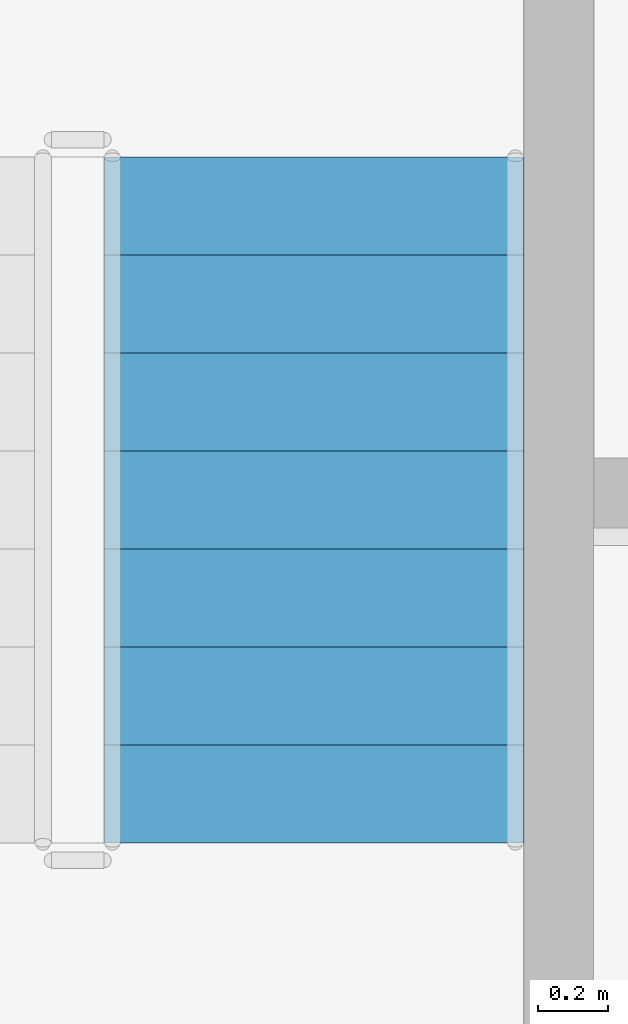
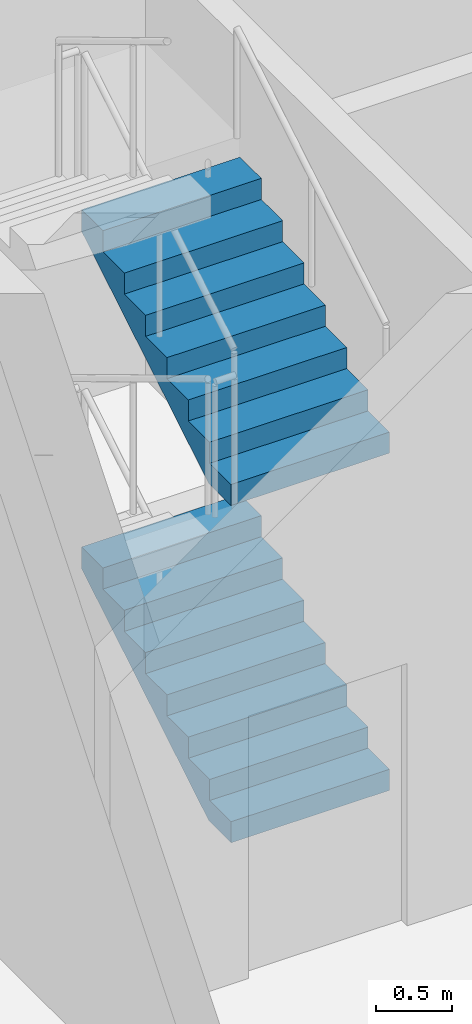
# One storey, part 48 of 101: 2 stair flights, 1 element without a shape of its own.
"""IFC4 building model written with IfcOpenShell, lengths in metres."""

from ifc_helpers import new_model, si_unit, direction, frame, origin, place, context, subcontext, project, spatial, triangles, material, type_object, element, aggregate, save


model = new_model("IFC4")

# Units and contexts
model_context = context("Model", 3, precision=1e-05, world=origin(), true_north=direction((0.0, 1.0)))
body_context = subcontext(model_context, "Body", "Model", "MODEL_VIEW")
ifc_project = project(units=[si_unit("LENGTHUNIT", "METRE"), si_unit("AREAUNIT", "SQUARE_METRE"), si_unit("VOLUMEUNIT", "CUBIC_METRE"), si_unit("PLANEANGLEUNIT", "RADIAN"), si_unit("MASSUNIT", "GRAM", prefix="KILO")], contexts=[model_context])

# Site, building, storey
site_placement = place(None, origin())
site = spatial("IfcSite", under=ifc_project, at=site_placement, CompositionType="ELEMENT")
building_placement = place(site_placement, origin())
building = spatial("IfcBuilding", under=site, at=building_placement, Name="Magnolia Steps Interchange", CompositionType="ELEMENT")
storey_placement = place(building_placement, frame((0.0, 0.0, -5.39990234375)))
storey = spatial("IfcBuildingStorey", under=building, at=storey_placement, Name="B1", CompositionType="ELEMENT", Elevation=-5.39990234375)

# Stair, stair flights
ifc_material_1 = material(Name="Concrete C40", Category="concrete")
stair_type = type_object("IfcStairType", Name="Exit stair 1200", PredefinedType="HALF_TURN_STAIR", material=ifc_material_1)
stair_placement = place(storey_placement, origin())
stair = element("IfcStair", 1, at=stair_placement, inside=storey, type_object=stair_type, Name="B1 Stair 19", PredefinedType="HALF_TURN_STAIR")
ifc_material_2 = material(Name="Concrete C40", Category="concrete")
stair_flight_type = type_object("IfcStairFlightType", Name="Exit stair flight", PredefinedType="STRAIGHT", material=ifc_material_2)
stair_flight_1_placement = place(storey_placement, frame((88.050048828125, 38.699951171875, 0.0), z_axis=(0.0, 0.0, 1.0), x_axis=(0.0, 1.0, 0.0)))
stair_flight_1 = element("IfcStairFlight", 2, at=stair_flight_1_placement, type_object=stair_flight_type, Name="Stair 19 flight 1", NumberOfRisers=8, NumberOfTreads=7, PredefinedType="STRAIGHT", RiserHeight=0.16875, TreadLength=0.28, context=body_context, shape_type="Tessellation", body=[
    triangles([(0.0, -0.5999755859375, 0.0), (0.29052734375, -0.5999755859375, 0.0), (1.9599609375, -0.5999755859375, 1.00634765625), (1.9599609375, -0.5999755859375, 1.18115234375), (1.679931640625, -0.5999755859375, 1.18115234375), (1.679931640625, -0.5999755859375, 1.012451171875), (1.39990234375, -0.5999755859375, 1.012451171875), (1.39990234375, -0.5999755859375, 0.84375), (1.1201171875, -0.5999755859375, 0.84375), (1.1201171875, -0.5999755859375, 0.675048828125), (0.840087890625, -0.5999755859375, 0.675048828125), (0.840087890625, -0.5999755859375, 0.50634765625), (0.56005859375, -0.5999755859375, 0.50634765625), (0.56005859375, -0.5999755859375, 0.33740234375), (0.280029296875, -0.5999755859375, 0.33740234375), (0.280029296875, -0.5999755859375, 0.168701171875), (0.0, -0.5999755859375, 0.168701171875), (0.0, 0.5999755859375, 0.0), (0.29052734375, 0.5999755859375, 0.0), (1.9599609375, 0.5999755859375, 1.00634765625), (1.9599609375, 0.5999755859375, 1.18115234375), (1.679931640625, 0.5999755859375, 1.18115234375), (1.679931640625, 0.5999755859375, 1.012451171875), (1.39990234375, 0.5999755859375, 1.012451171875), (1.39990234375, 0.5999755859375, 0.84375), (1.1201171875, 0.5999755859375, 0.84375), (1.1201171875, 0.5999755859375, 0.675048828125), (0.840087890625, 0.5999755859375, 0.675048828125), (0.840087890625, 0.5999755859375, 0.50634765625), (0.56005859375, 0.5999755859375, 0.50634765625), (0.56005859375, 0.5999755859375, 0.33740234375), (0.280029296875, 0.5999755859375, 0.33740234375), (0.280029296875, 0.5999755859375, 0.168701171875), (0.0, 0.5999755859375, 0.168701171875), (0.0, 0.0, 0.0), (0.0, 0.0, 0.04217529296875), (0.0, 0.0, 0.0843505859375), (0.0, 0.0, 0.12652587890625), (0.0, 0.0, 0.168701171875), (0.0, -0.05, 0.0), (0.0, -0.05, 0.168701171875), (0.0, 0.05, 0.0), (0.0, 0.05, 0.168701171875), (0.046671549479166664, 0.0, 0.168701171875), (0.09334309895833333, 0.0, 0.168701171875), (0.1400146484375, 0.0, 0.168701171875), (0.18668619791666666, 0.0, 0.168701171875), (0.23335774739583334, 0.0, 0.168701171875), (0.280029296875, 0.0, 0.168701171875), (0.280029296875, -0.05, 0.168701171875), (0.280029296875, 0.05, 0.168701171875), (0.280029296875, 0.0, 0.21087646484375), (0.280029296875, 0.0, 0.2530517578125), (0.280029296875, 0.0, 0.29522705078125), (0.280029296875, 0.0, 0.33740234375), (0.280029296875, -0.05, 0.33740234375), (0.280029296875, 0.05, 0.33740234375), (0.3267008463541667, 0.0, 0.33740234375), (0.3733723958333333, 0.0, 0.33740234375), (0.4200439453125, 0.0, 0.33740234375), (0.46671549479166663, 0.0, 0.33740234375), (0.5133870442708334, 0.0, 0.33740234375), (0.56005859375, 0.0, 0.33740234375), (0.56005859375, -0.05, 0.33740234375), (0.56005859375, 0.05, 0.33740234375), (0.56005859375, 0.0, 0.379638671875), (0.56005859375, 0.0, 0.421875), (0.56005859375, 0.0, 0.464111328125), (0.56005859375, 0.0, 0.50634765625), (0.56005859375, -0.05, 0.50634765625), (0.56005859375, 0.05, 0.50634765625), (0.6067301432291666, 0.0, 0.50634765625), (0.6534016927083334, 0.0, 0.50634765625), (0.7000732421875, 0.0, 0.50634765625), (0.7467447916666666, 0.0, 0.50634765625), (0.7934163411458334, 0.0, 0.50634765625), (0.840087890625, 0.0, 0.50634765625), (0.840087890625, -0.05, 0.50634765625), (0.840087890625, 0.05, 0.50634765625), (0.840087890625, 0.0, 0.54852294921875), (0.840087890625, 0.0, 0.5906982421875), (0.840087890625, 0.0, 0.63287353515625), (0.840087890625, 0.0, 0.675048828125), (0.840087890625, -0.05, 0.675048828125), (0.840087890625, 0.05, 0.675048828125), (0.8867594401041666, 0.0, 0.675048828125), (0.9334309895833334, 0.0, 0.675048828125), (0.9801025390625, 0.0, 0.675048828125), (1.0267740885416667, 0.0, 0.675048828125), (1.0734456380208333, 0.0, 0.675048828125), (1.1201171875, 0.0, 0.675048828125), (1.1201171875, -0.05, 0.675048828125), (1.1201171875, 0.05, 0.675048828125), (1.1201171875, 0.0, 0.71722412109375), (1.1201171875, 0.0, 0.7593994140625), (1.1201171875, 0.0, 0.80157470703125), (1.1201171875, 0.0, 0.84375), (1.1201171875, -0.05, 0.84375), (1.1201171875, 0.05, 0.84375), (1.1900634765625, 0.0, 0.84375), (1.260009765625, 0.0, 0.84375), (1.3299560546875, 0.0, 0.84375), (1.39990234375, 0.0, 0.84375), (1.39990234375, -0.05, 0.84375), (1.39990234375, 0.05, 0.84375), (1.39990234375, 0.0, 0.88592529296875), (1.39990234375, 0.0, 0.9281005859375), (1.39990234375, 0.0, 0.97027587890625), (1.39990234375, 0.0, 1.012451171875), (1.39990234375, -0.05, 1.012451171875), (1.39990234375, 0.05, 1.012451171875), (1.4465738932291667, 0.0, 1.012451171875), (1.4932454427083333, 0.0, 1.012451171875), (1.5399169921875, 0.0, 1.012451171875), (1.5865885416666667, 0.0, 1.012451171875), (1.6332600911458333, 0.0, 1.012451171875), (1.679931640625, 0.0, 1.012451171875), (1.679931640625, -0.05, 1.012451171875), (1.679931640625, 0.05, 1.012451171875), (1.679931640625, 0.0, 1.05462646484375), (1.679931640625, 0.0, 1.0968017578125), (1.679931640625, 0.0, 1.13897705078125), (1.679931640625, 0.0, 1.18115234375), (1.679931640625, -0.05, 1.18115234375), (1.679931640625, 0.05, 1.18115234375), (1.7266031901041667, 0.0, 1.18115234375), (1.7732747395833333, 0.0, 1.18115234375), (1.8199462890625, 0.0, 1.18115234375), (1.8666178385416667, 0.0, 1.18115234375), (1.9132893880208333, 0.0, 1.18115234375), (1.9599609375, 0.0, 1.18115234375), (1.9599609375, -0.05, 1.18115234375), (1.9599609375, 0.05, 1.18115234375), (1.9599609375, 0.0, 1.137451171875), (1.9599609375, 0.0, 1.09375), (1.9599609375, 0.0, 1.050048828125), (1.9599609375, 0.0, 1.00634765625), (1.9599609375, -0.05, 1.00634765625), (1.9599609375, 0.05, 1.00634765625), (1.9003383091517858, 0.0, 0.9704066685267857), (1.8407156808035714, 0.0, 0.9344656808035714), (1.7810930524553572, 0.0, 0.8985246930803571), (1.7214704241071428, 0.0, 0.8625837053571428), (1.6618477957589286, 0.0, 0.8266427176339286), (1.6022251674107144, 0.0, 0.7907017299107143), (1.5426025390625, 0.0, 0.7547607421875), (1.4829799107142856, 0.0, 0.7188197544642857), (1.4233572823660714, 0.0, 0.6828787667410714), (1.3637346540178572, 0.0, 0.6469377790178572), (1.3041120256696428, 0.0, 0.6109967912946428), (1.2444893973214286, 0.0, 0.5750558035714286), (1.1848667689732144, 0.0, 0.5391148158482143), (1.125244140625, 0.0, 0.503173828125), (1.0656215122767856, 0.0, 0.4672328404017857), (1.0059988839285714, 0.0, 0.4312918526785714), (0.9463762555803572, 0.0, 0.3953508649553571), (0.8867536272321428, 0.0, 0.3594098772321429), (0.8271309988839286, 0.0, 0.3234688895089286), (0.7675083705357142, 0.0, 0.2875279017857143), (0.7078857421875, 0.0, 0.2515869140625), (0.6482631138392858, 0.0, 0.2156459263392857), (0.5886404854910714, 0.0, 0.1797049386160714), (0.5290178571428572, 0.0, 0.1437639508928571), (0.4693952287946428, 0.0, 0.1078229631696429), (0.4097726004464286, 0.0, 0.0718819754464286), (0.3501499720982142, 0.0, 0.0359409877232143), (0.29052734375, 0.0, 0.0), (0.29052734375, -0.05, 0.0), (0.29052734375, 0.05, 0.0), (0.24210611979166666, 0.0, 0.0), (0.19368489583333331, 0.0, 0.0), (0.145263671875, 0.0, 0.0), (0.09684244791666666, 0.0, 0.0), (0.04842122395833334, 0.0, 0.0)], [[1, 2, 3], [3, 4, 5], [3, 5, 6], [3, 6, 7], [3, 7, 8], [8, 9, 10], [3, 8, 10], [10, 11, 12], [3, 10, 12], [12, 13, 14], [3, 12, 14], [14, 15, 16], [3, 14, 16], [1, 3, 16], [16, 17, 1], [18, 20, 19], [20, 22, 21], [20, 23, 22], [20, 24, 23], [20, 25, 24], [25, 27, 26], [20, 27, 25], [27, 29, 28], [20, 29, 27], [29, 31, 30], [20, 31, 29], [31, 33, 32], [20, 33, 31], [18, 33, 20], [33, 18, 34], [1, 17, 41], [1, 41, 40], [40, 36, 35], [40, 37, 36], [40, 41, 37], [41, 38, 37], [41, 39, 38], [18, 43, 34], [18, 42, 43], [42, 35, 36], [42, 36, 37], [42, 37, 43], [43, 37, 38], [43, 38, 39], [17, 16, 50], [17, 50, 41], [41, 44, 39], [41, 45, 44], [41, 46, 45], [41, 50, 46], [50, 47, 46], [50, 48, 47], [50, 49, 48], [34, 51, 33], [34, 43, 51], [43, 39, 44], [43, 44, 45], [43, 45, 46], [43, 46, 51], [51, 46, 47], [51, 47, 48], [51, 48, 49], [16, 15, 56], [16, 56, 50], [50, 52, 49], [50, 53, 52], [50, 56, 53], [56, 54, 53], [56, 55, 54], [33, 57, 32], [33, 51, 57], [51, 49, 52], [51, 52, 53], [51, 53, 57], [57, 53, 54], [57, 54, 55], [15, 14, 64], [15, 64, 56], [56, 58, 55], [56, 59, 58], [56, 60, 59], [56, 64, 60], [64, 61, 60], [64, 62, 61], [64, 63, 62], [32, 65, 31], [32, 57, 65], [57, 55, 58], [57, 58, 59], [57, 59, 60], [57, 60, 65], [65, 60, 61], [65, 61, 62], [65, 62, 63], [14, 13, 70], [14, 70, 64], [64, 66, 63], [64, 67, 66], [64, 70, 67], [70, 68, 67], [70, 69, 68], [31, 71, 30], [31, 65, 71], [65, 63, 66], [65, 66, 67], [65, 67, 71], [71, 67, 68], [71, 68, 69], [13, 12, 78], [13, 78, 70], [70, 72, 69], [70, 73, 72], [70, 74, 73], [70, 78, 74], [78, 75, 74], [78, 76, 75], [78, 77, 76], [30, 79, 29], [30, 71, 79], [71, 69, 72], [71, 72, 73], [71, 73, 74], [71, 74, 79], [79, 74, 75], [79, 75, 76], [79, 76, 77], [12, 11, 84], [12, 84, 78], [78, 80, 77], [78, 81, 80], [78, 84, 81], [84, 82, 81], [84, 83, 82], [29, 85, 28], [29, 79, 85], [79, 77, 80], [79, 80, 81], [79, 81, 85], [85, 81, 82], [85, 82, 83], [11, 10, 92], [11, 92, 84], [84, 86, 83], [84, 87, 86], [84, 88, 87], [84, 92, 88], [92, 89, 88], [92, 90, 89], [92, 91, 90], [28, 93, 27], [28, 85, 93], [85, 83, 86], [85, 86, 87], [85, 87, 88], [85, 88, 93], [93, 88, 89], [93, 89, 90], [93, 90, 91], [10, 9, 98], [10, 98, 92], [92, 94, 91], [92, 95, 94], [92, 98, 95], [98, 96, 95], [98, 97, 96], [27, 99, 26], [27, 93, 99], [93, 91, 94], [93, 94, 95], [93, 95, 99], [99, 95, 96], [99, 96, 97], [9, 8, 104], [9, 104, 98], [98, 100, 97], [98, 101, 100], [98, 104, 101], [104, 102, 101], [104, 103, 102], [26, 105, 25], [26, 99, 105], [99, 97, 100], [99, 100, 101], [99, 101, 105], [105, 101, 102], [105, 102, 103], [8, 7, 110], [8, 110, 104], [104, 106, 103], [104, 107, 106], [104, 110, 107], [110, 108, 107], [110, 109, 108], [25, 111, 24], [25, 105, 111], [105, 103, 106], [105, 106, 107], [105, 107, 111], [111, 107, 108], [111, 108, 109], [7, 6, 118], [7, 118, 110], [110, 112, 109], [110, 113, 112], [110, 114, 113], [110, 118, 114], [118, 115, 114], [118, 116, 115], [118, 117, 116], [24, 119, 23], [24, 111, 119], [111, 109, 112], [111, 112, 113], [111, 113, 114], [111, 114, 119], [119, 114, 115], [119, 115, 116], [119, 116, 117], [6, 5, 124], [6, 124, 118], [118, 120, 117], [118, 121, 120], [118, 124, 121], [124, 122, 121], [124, 123, 122], [23, 125, 22], [23, 119, 125], [119, 117, 120], [119, 120, 121], [119, 121, 125], [125, 121, 122], [125, 122, 123], [5, 4, 132], [5, 132, 124], [124, 126, 123], [124, 127, 126], [124, 128, 127], [124, 132, 128], [132, 129, 128], [132, 130, 129], [132, 131, 130], [22, 133, 21], [22, 125, 133], [125, 123, 126], [125, 126, 127], [125, 127, 128], [125, 128, 133], [133, 128, 129], [133, 129, 130], [133, 130, 131], [4, 3, 138], [4, 138, 132], [132, 134, 131], [132, 135, 134], [132, 138, 135], [138, 136, 135], [138, 137, 136], [21, 139, 20], [21, 133, 139], [133, 131, 134], [133, 134, 135], [133, 135, 139], [139, 135, 136], [139, 136, 137], [3, 2, 168], [3, 168, 138], [138, 140, 137], [138, 141, 140], [138, 142, 141], [138, 143, 142], [138, 144, 143], [138, 145, 144], [138, 146, 145], [138, 147, 146], [138, 148, 147], [138, 149, 148], [138, 150, 149], [138, 151, 150], [138, 152, 151], [138, 153, 152], [138, 168, 153], [168, 154, 153], [168, 155, 154], [168, 156, 155], [168, 157, 156], [168, 158, 157], [168, 159, 158], [168, 160, 159], [168, 161, 160], [168, 162, 161], [168, 163, 162], [168, 164, 163], [168, 165, 164], [168, 166, 165], [168, 167, 166], [20, 169, 19], [20, 139, 169], [139, 137, 140], [139, 140, 141], [139, 141, 142], [139, 142, 143], [139, 143, 144], [139, 144, 145], [139, 145, 146], [139, 146, 147], [139, 147, 148], [139, 148, 149], [139, 149, 150], [139, 150, 151], [139, 151, 152], [139, 152, 153], [139, 153, 169], [169, 153, 154], [169, 154, 155], [169, 155, 156], [169, 156, 157], [169, 157, 158], [169, 158, 159], [169, 159, 160], [169, 160, 161], [169, 161, 162], [169, 162, 163], [169, 163, 164], [169, 164, 165], [169, 165, 166], [169, 166, 167], [2, 1, 40], [2, 40, 168], [168, 170, 167], [168, 171, 170], [168, 172, 171], [168, 40, 172], [40, 173, 172], [40, 174, 173], [40, 35, 174], [19, 42, 18], [19, 169, 42], [169, 167, 170], [169, 170, 171], [169, 171, 172], [169, 172, 42], [42, 172, 173], [42, 173, 174], [42, 174, 35]], closed=True),
])
stair_flight_2_placement = place(storey_placement, frame((88.050048828125, 38.699951171875, 2.699951171875), z_axis=(0.0, 0.0, 1.0), x_axis=(0.0, 1.0, 0.0)))
stair_flight_2 = element("IfcStairFlight", 3, at=stair_flight_2_placement, type_object=stair_flight_type, Name="Stair 19 flight 3", NumberOfRisers=8, NumberOfTreads=7, PredefinedType="STRAIGHT", RiserHeight=0.16875, TreadLength=0.28, context=body_context, shape_type="Tessellation", body=[
    triangles([(0.0, -0.5999755859375, 0.0), (0.29052734375, -0.5999755859375, 0.0), (1.9599609375, -0.5999755859375, 1.00634765625), (1.9599609375, -0.5999755859375, 1.18115234375), (1.679931640625, -0.5999755859375, 1.18115234375), (1.679931640625, -0.5999755859375, 1.012451171875), (1.39990234375, -0.5999755859375, 1.012451171875), (1.39990234375, -0.5999755859375, 0.84375), (1.1201171875, -0.5999755859375, 0.84375), (1.1201171875, -0.5999755859375, 0.675048828125), (0.840087890625, -0.5999755859375, 0.675048828125), (0.840087890625, -0.5999755859375, 0.50634765625), (0.56005859375, -0.5999755859375, 0.50634765625), (0.56005859375, -0.5999755859375, 0.33740234375), (0.280029296875, -0.5999755859375, 0.33740234375), (0.280029296875, -0.5999755859375, 0.168701171875), (0.0, -0.5999755859375, 0.168701171875), (0.0, 0.5999755859375, 0.0), (0.29052734375, 0.5999755859375, 0.0), (1.9599609375, 0.5999755859375, 1.00634765625), (1.9599609375, 0.5999755859375, 1.18115234375), (1.679931640625, 0.5999755859375, 1.18115234375), (1.679931640625, 0.5999755859375, 1.012451171875), (1.39990234375, 0.5999755859375, 1.012451171875), (1.39990234375, 0.5999755859375, 0.84375), (1.1201171875, 0.5999755859375, 0.84375), (1.1201171875, 0.5999755859375, 0.675048828125), (0.840087890625, 0.5999755859375, 0.675048828125), (0.840087890625, 0.5999755859375, 0.50634765625), (0.56005859375, 0.5999755859375, 0.50634765625), (0.56005859375, 0.5999755859375, 0.33740234375), (0.280029296875, 0.5999755859375, 0.33740234375), (0.280029296875, 0.5999755859375, 0.168701171875), (0.0, 0.5999755859375, 0.168701171875), (0.0, 0.0, 0.0), (0.0, 0.0, 0.04217529296875), (0.0, 0.0, 0.0843505859375), (0.0, 0.0, 0.12652587890625), (0.0, 0.0, 0.168701171875), (0.0, -0.05, 0.0), (0.0, -0.05, 0.168701171875), (0.0, 0.05, 0.0), (0.0, 0.05, 0.168701171875), (0.046671549479166664, 0.0, 0.168701171875), (0.09334309895833333, 0.0, 0.168701171875), (0.1400146484375, 0.0, 0.168701171875), (0.18668619791666666, 0.0, 0.168701171875), (0.23335774739583334, 0.0, 0.168701171875), (0.280029296875, 0.0, 0.168701171875), (0.280029296875, -0.05, 0.168701171875), (0.280029296875, 0.05, 0.168701171875), (0.280029296875, 0.0, 0.21087646484375), (0.280029296875, 0.0, 0.2530517578125), (0.280029296875, 0.0, 0.29522705078125), (0.280029296875, 0.0, 0.33740234375), (0.280029296875, -0.05, 0.33740234375), (0.280029296875, 0.05, 0.33740234375), (0.3267008463541667, 0.0, 0.33740234375), (0.3733723958333333, 0.0, 0.33740234375), (0.4200439453125, 0.0, 0.33740234375), (0.46671549479166663, 0.0, 0.33740234375), (0.5133870442708334, 0.0, 0.33740234375), (0.56005859375, 0.0, 0.33740234375), (0.56005859375, -0.05, 0.33740234375), (0.56005859375, 0.05, 0.33740234375), (0.56005859375, 0.0, 0.379638671875), (0.56005859375, 0.0, 0.421875), (0.56005859375, 0.0, 0.464111328125), (0.56005859375, 0.0, 0.50634765625), (0.56005859375, -0.05, 0.50634765625), (0.56005859375, 0.05, 0.50634765625), (0.6067301432291666, 0.0, 0.50634765625), (0.6534016927083334, 0.0, 0.50634765625), (0.7000732421875, 0.0, 0.50634765625), (0.7467447916666666, 0.0, 0.50634765625), (0.7934163411458334, 0.0, 0.50634765625), (0.840087890625, 0.0, 0.50634765625), (0.840087890625, -0.05, 0.50634765625), (0.840087890625, 0.05, 0.50634765625), (0.840087890625, 0.0, 0.54852294921875), (0.840087890625, 0.0, 0.5906982421875), (0.840087890625, 0.0, 0.63287353515625), (0.840087890625, 0.0, 0.675048828125), (0.840087890625, -0.05, 0.675048828125), (0.840087890625, 0.05, 0.675048828125), (0.8867594401041666, 0.0, 0.675048828125), (0.9334309895833334, 0.0, 0.675048828125), (0.9801025390625, 0.0, 0.675048828125), (1.0267740885416667, 0.0, 0.675048828125), (1.0734456380208333, 0.0, 0.675048828125), (1.1201171875, 0.0, 0.675048828125), (1.1201171875, -0.05, 0.675048828125), (1.1201171875, 0.05, 0.675048828125), (1.1201171875, 0.0, 0.71722412109375), (1.1201171875, 0.0, 0.7593994140625), (1.1201171875, 0.0, 0.80157470703125), (1.1201171875, 0.0, 0.84375), (1.1201171875, -0.05, 0.84375), (1.1201171875, 0.05, 0.84375), (1.1900634765625, 0.0, 0.84375), (1.260009765625, 0.0, 0.84375), (1.3299560546875, 0.0, 0.84375), (1.39990234375, 0.0, 0.84375), (1.39990234375, -0.05, 0.84375), (1.39990234375, 0.05, 0.84375), (1.39990234375, 0.0, 0.88592529296875), (1.39990234375, 0.0, 0.9281005859375), (1.39990234375, 0.0, 0.97027587890625), (1.39990234375, 0.0, 1.012451171875), (1.39990234375, -0.05, 1.012451171875), (1.39990234375, 0.05, 1.012451171875), (1.4465738932291667, 0.0, 1.012451171875), (1.4932454427083333, 0.0, 1.012451171875), (1.5399169921875, 0.0, 1.012451171875), (1.5865885416666667, 0.0, 1.012451171875), (1.6332600911458333, 0.0, 1.012451171875), (1.679931640625, 0.0, 1.012451171875), (1.679931640625, -0.05, 1.012451171875), (1.679931640625, 0.05, 1.012451171875), (1.679931640625, 0.0, 1.05462646484375), (1.679931640625, 0.0, 1.0968017578125), (1.679931640625, 0.0, 1.13897705078125), (1.679931640625, 0.0, 1.18115234375), (1.679931640625, -0.05, 1.18115234375), (1.679931640625, 0.05, 1.18115234375), (1.7266031901041667, 0.0, 1.18115234375), (1.7732747395833333, 0.0, 1.18115234375), (1.8199462890625, 0.0, 1.18115234375), (1.8666178385416667, 0.0, 1.18115234375), (1.9132893880208333, 0.0, 1.18115234375), (1.9599609375, 0.0, 1.18115234375), (1.9599609375, -0.05, 1.18115234375), (1.9599609375, 0.05, 1.18115234375), (1.9599609375, 0.0, 1.137451171875), (1.9599609375, 0.0, 1.09375), (1.9599609375, 0.0, 1.050048828125), (1.9599609375, 0.0, 1.00634765625), (1.9599609375, -0.05, 1.00634765625), (1.9599609375, 0.05, 1.00634765625), (1.9003383091517858, 0.0, 0.9704066685267857), (1.8407156808035714, 0.0, 0.9344656808035714), (1.7810930524553572, 0.0, 0.8985246930803571), (1.7214704241071428, 0.0, 0.8625837053571428), (1.6618477957589286, 0.0, 0.8266427176339286), (1.6022251674107144, 0.0, 0.7907017299107143), (1.5426025390625, 0.0, 0.7547607421875), (1.4829799107142856, 0.0, 0.7188197544642857), (1.4233572823660714, 0.0, 0.6828787667410714), (1.3637346540178572, 0.0, 0.6469377790178572), (1.3041120256696428, 0.0, 0.6109967912946428), (1.2444893973214286, 0.0, 0.5750558035714286), (1.1848667689732144, 0.0, 0.5391148158482143), (1.125244140625, 0.0, 0.503173828125), (1.0656215122767856, 0.0, 0.4672328404017857), (1.0059988839285714, 0.0, 0.4312918526785714), (0.9463762555803572, 0.0, 0.3953508649553571), (0.8867536272321428, 0.0, 0.3594098772321429), (0.8271309988839286, 0.0, 0.3234688895089286), (0.7675083705357142, 0.0, 0.2875279017857143), (0.7078857421875, 0.0, 0.2515869140625), (0.6482631138392858, 0.0, 0.2156459263392857), (0.5886404854910714, 0.0, 0.1797049386160714), (0.5290178571428572, 0.0, 0.1437639508928571), (0.4693952287946428, 0.0, 0.1078229631696429), (0.4097726004464286, 0.0, 0.0718819754464286), (0.3501499720982142, 0.0, 0.0359409877232143), (0.29052734375, 0.0, 0.0), (0.29052734375, -0.05, 0.0), (0.29052734375, 0.05, 0.0), (0.24210611979166666, 0.0, 0.0), (0.19368489583333331, 0.0, 0.0), (0.145263671875, 0.0, 0.0), (0.09684244791666666, 0.0, 0.0), (0.04842122395833334, 0.0, 0.0)], [[1, 2, 3], [3, 4, 5], [3, 5, 6], [3, 6, 7], [3, 7, 8], [8, 9, 10], [3, 8, 10], [10, 11, 12], [3, 10, 12], [12, 13, 14], [3, 12, 14], [14, 15, 16], [3, 14, 16], [1, 3, 16], [16, 17, 1], [18, 20, 19], [20, 22, 21], [20, 23, 22], [20, 24, 23], [20, 25, 24], [25, 27, 26], [20, 27, 25], [27, 29, 28], [20, 29, 27], [29, 31, 30], [20, 31, 29], [31, 33, 32], [20, 33, 31], [18, 33, 20], [33, 18, 34], [1, 17, 41], [1, 41, 40], [40, 36, 35], [40, 37, 36], [40, 41, 37], [41, 38, 37], [41, 39, 38], [18, 43, 34], [18, 42, 43], [42, 35, 36], [42, 36, 37], [42, 37, 43], [43, 37, 38], [43, 38, 39], [17, 16, 50], [17, 50, 41], [41, 44, 39], [41, 45, 44], [41, 46, 45], [41, 50, 46], [50, 47, 46], [50, 48, 47], [50, 49, 48], [34, 51, 33], [34, 43, 51], [43, 39, 44], [43, 44, 45], [43, 45, 46], [43, 46, 51], [51, 46, 47], [51, 47, 48], [51, 48, 49], [16, 15, 56], [16, 56, 50], [50, 52, 49], [50, 53, 52], [50, 56, 53], [56, 54, 53], [56, 55, 54], [33, 57, 32], [33, 51, 57], [51, 49, 52], [51, 52, 53], [51, 53, 57], [57, 53, 54], [57, 54, 55], [15, 14, 64], [15, 64, 56], [56, 58, 55], [56, 59, 58], [56, 60, 59], [56, 64, 60], [64, 61, 60], [64, 62, 61], [64, 63, 62], [32, 65, 31], [32, 57, 65], [57, 55, 58], [57, 58, 59], [57, 59, 60], [57, 60, 65], [65, 60, 61], [65, 61, 62], [65, 62, 63], [14, 13, 70], [14, 70, 64], [64, 66, 63], [64, 67, 66], [64, 70, 67], [70, 68, 67], [70, 69, 68], [31, 71, 30], [31, 65, 71], [65, 63, 66], [65, 66, 67], [65, 67, 71], [71, 67, 68], [71, 68, 69], [13, 12, 78], [13, 78, 70], [70, 72, 69], [70, 73, 72], [70, 74, 73], [70, 78, 74], [78, 75, 74], [78, 76, 75], [78, 77, 76], [30, 79, 29], [30, 71, 79], [71, 69, 72], [71, 72, 73], [71, 73, 74], [71, 74, 79], [79, 74, 75], [79, 75, 76], [79, 76, 77], [12, 11, 84], [12, 84, 78], [78, 80, 77], [78, 81, 80], [78, 84, 81], [84, 82, 81], [84, 83, 82], [29, 85, 28], [29, 79, 85], [79, 77, 80], [79, 80, 81], [79, 81, 85], [85, 81, 82], [85, 82, 83], [11, 10, 92], [11, 92, 84], [84, 86, 83], [84, 87, 86], [84, 88, 87], [84, 92, 88], [92, 89, 88], [92, 90, 89], [92, 91, 90], [28, 93, 27], [28, 85, 93], [85, 83, 86], [85, 86, 87], [85, 87, 88], [85, 88, 93], [93, 88, 89], [93, 89, 90], [93, 90, 91], [10, 9, 98], [10, 98, 92], [92, 94, 91], [92, 95, 94], [92, 98, 95], [98, 96, 95], [98, 97, 96], [27, 99, 26], [27, 93, 99], [93, 91, 94], [93, 94, 95], [93, 95, 99], [99, 95, 96], [99, 96, 97], [9, 8, 104], [9, 104, 98], [98, 100, 97], [98, 101, 100], [98, 104, 101], [104, 102, 101], [104, 103, 102], [26, 105, 25], [26, 99, 105], [99, 97, 100], [99, 100, 101], [99, 101, 105], [105, 101, 102], [105, 102, 103], [8, 7, 110], [8, 110, 104], [104, 106, 103], [104, 107, 106], [104, 110, 107], [110, 108, 107], [110, 109, 108], [25, 111, 24], [25, 105, 111], [105, 103, 106], [105, 106, 107], [105, 107, 111], [111, 107, 108], [111, 108, 109], [7, 6, 118], [7, 118, 110], [110, 112, 109], [110, 113, 112], [110, 114, 113], [110, 118, 114], [118, 115, 114], [118, 116, 115], [118, 117, 116], [24, 119, 23], [24, 111, 119], [111, 109, 112], [111, 112, 113], [111, 113, 114], [111, 114, 119], [119, 114, 115], [119, 115, 116], [119, 116, 117], [6, 5, 124], [6, 124, 118], [118, 120, 117], [118, 121, 120], [118, 124, 121], [124, 122, 121], [124, 123, 122], [23, 125, 22], [23, 119, 125], [119, 117, 120], [119, 120, 121], [119, 121, 125], [125, 121, 122], [125, 122, 123], [5, 4, 132], [5, 132, 124], [124, 126, 123], [124, 127, 126], [124, 128, 127], [124, 132, 128], [132, 129, 128], [132, 130, 129], [132, 131, 130], [22, 133, 21], [22, 125, 133], [125, 123, 126], [125, 126, 127], [125, 127, 128], [125, 128, 133], [133, 128, 129], [133, 129, 130], [133, 130, 131], [4, 3, 138], [4, 138, 132], [132, 134, 131], [132, 135, 134], [132, 138, 135], [138, 136, 135], [138, 137, 136], [21, 139, 20], [21, 133, 139], [133, 131, 134], [133, 134, 135], [133, 135, 139], [139, 135, 136], [139, 136, 137], [3, 2, 168], [3, 168, 138], [138, 140, 137], [138, 141, 140], [138, 142, 141], [138, 143, 142], [138, 144, 143], [138, 145, 144], [138, 146, 145], [138, 147, 146], [138, 148, 147], [138, 149, 148], [138, 150, 149], [138, 151, 150], [138, 152, 151], [138, 153, 152], [138, 168, 153], [168, 154, 153], [168, 155, 154], [168, 156, 155], [168, 157, 156], [168, 158, 157], [168, 159, 158], [168, 160, 159], [168, 161, 160], [168, 162, 161], [168, 163, 162], [168, 164, 163], [168, 165, 164], [168, 166, 165], [168, 167, 166], [20, 169, 19], [20, 139, 169], [139, 137, 140], [139, 140, 141], [139, 141, 142], [139, 142, 143], [139, 143, 144], [139, 144, 145], [139, 145, 146], [139, 146, 147], [139, 147, 148], [139, 148, 149], [139, 149, 150], [139, 150, 151], [139, 151, 152], [139, 152, 153], [139, 153, 169], [169, 153, 154], [169, 154, 155], [169, 155, 156], [169, 156, 157], [169, 157, 158], [169, 158, 159], [169, 159, 160], [169, 160, 161], [169, 161, 162], [169, 162, 163], [169, 163, 164], [169, 164, 165], [169, 165, 166], [169, 166, 167], [2, 1, 40], [2, 40, 168], [168, 170, 167], [168, 171, 170], [168, 172, 171], [168, 40, 172], [40, 173, 172], [40, 174, 173], [40, 35, 174], [19, 42, 18], [19, 169, 42], [169, 167, 170], [169, 170, 171], [169, 171, 172], [169, 172, 42], [42, 172, 173], [42, 173, 174], [42, 174, 35]], closed=True),
])
aggregate(stair, [stair_flight_1, stair_flight_2])

save(model, "model.ifc")
